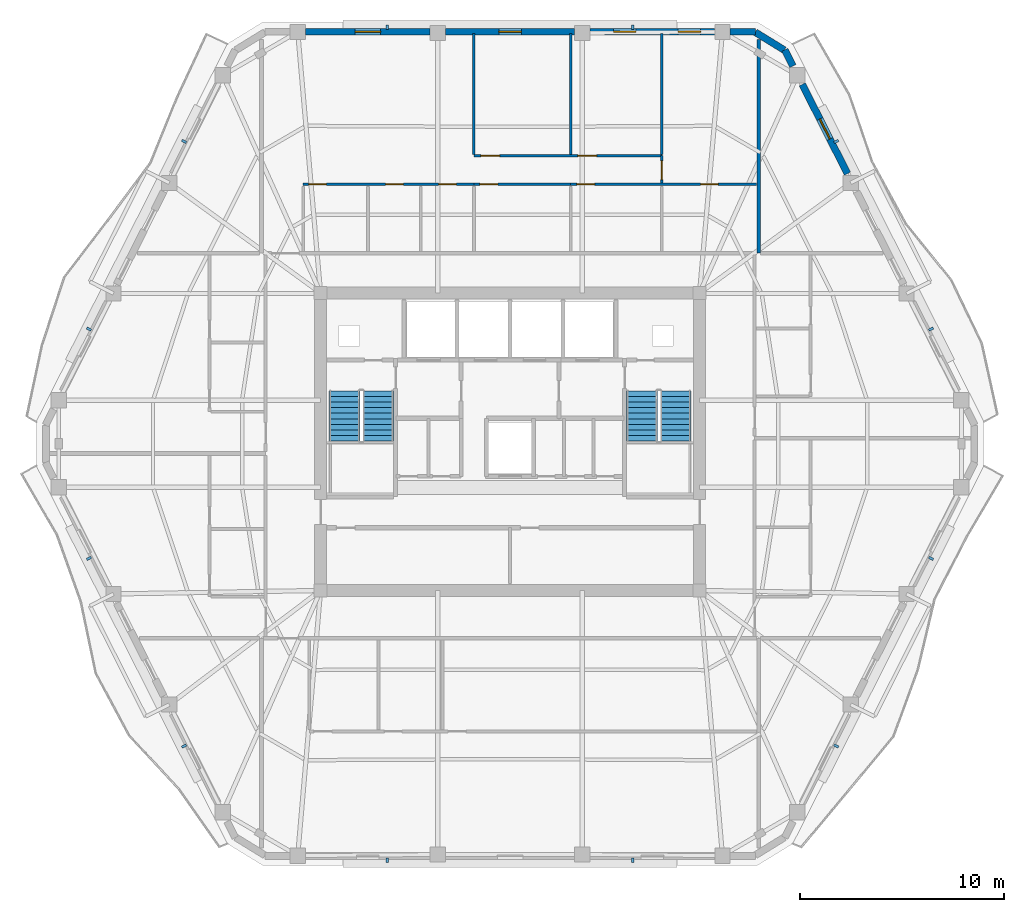
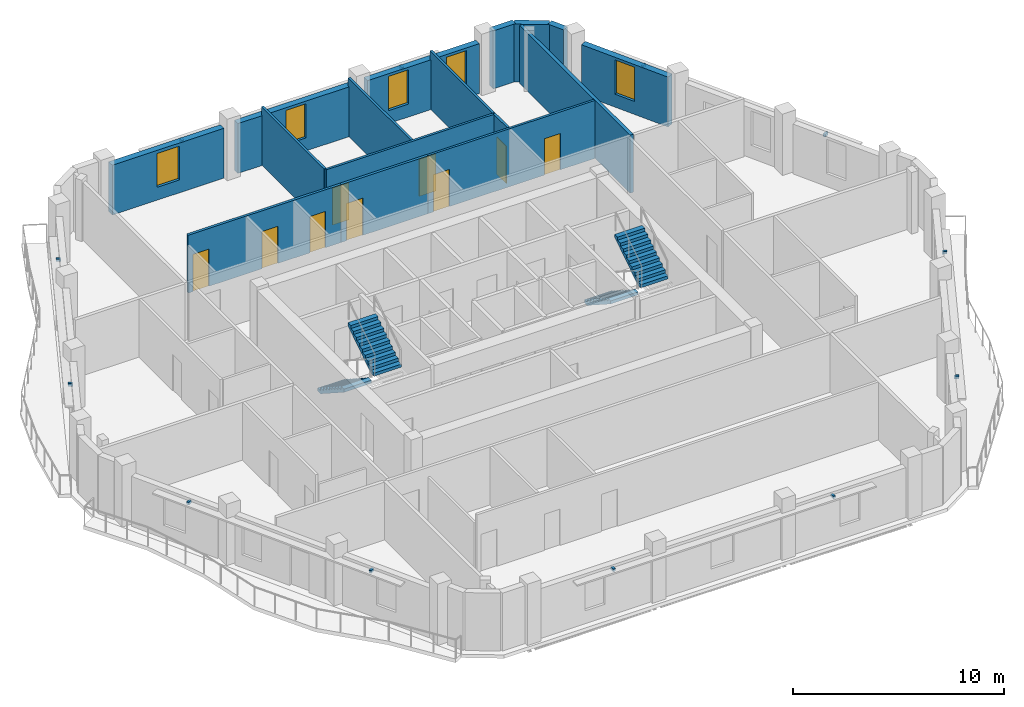
# One storey, part 7 of 11: 16 walls, 12 discrete accessories, 9 doors, 5 windows, 4 stair flights, 14 openings, 2 elements without a shape of their own.
"""IFC4 building model written with IfcOpenShell, lengths in metres."""

from ifc_helpers import new_model, si_unit, direction, frame, frame_2d, origin, origin_2d, place, context, subcontext, project, spatial, polyline, rectangle, outline, extrude, material, layer, layer_set, type_object, element, fill, aggregate, save


model = new_model("IFC4")

# Units and contexts
model_context = context("Model", 3, precision=1e-05, world=origin(), true_north=direction((0.0, 1.0)))
body_context = subcontext(model_context, "Body", "Model", "MODEL_VIEW")
ifc_project = project(units=[si_unit("LENGTHUNIT", "METRE"), si_unit("AREAUNIT", "SQUARE_METRE"), si_unit("VOLUMEUNIT", "CUBIC_METRE"), si_unit("PLANEANGLEUNIT", "RADIAN"), si_unit("MASSUNIT", "GRAM", prefix="KILO")], contexts=[model_context])

# Site, building, storey
site_placement = place(None, origin())
site = spatial("IfcSite", under=ifc_project, at=site_placement, CompositionType="ELEMENT")
building_placement = place(site_placement, origin())
building = spatial("IfcBuilding", under=site, at=building_placement, Name="Cinnabar Lancet Tower", CompositionType="ELEMENT")
storey_placement = place(building_placement, frame((0.0, 0.0, 214.5)))
storey = spatial("IfcBuildingStorey", under=building, at=storey_placement, Name="L57", CompositionType="ELEMENT", Elevation=214.5)

# Wall
ifc_material_1 = material(Name="Fire-rated twin-frame acoustic drywall", Category="gypsum")
ifc_layer_1 = layer(ifc_material_1, 0.179931640625)
ifc_layer_set_1 = layer_set([ifc_layer_1], Name="Fire-rated twin-frame acoustic drywall")
wall_type_1 = type_object("IfcWallType", Name="ARC-WL-PARTY-180", PredefinedType="PARTITIONING", material=ifc_layer_set_1)
wall_1_placement = place(storey_placement, frame((44.60009765625, 35.14990234375, 0.0), z_axis=(0.0, 0.0, 1.0), x_axis=(0.0, 1.0, 0.0)))
element("IfcWall", 1, at=wall_1_placement, inside=storey, type_object=wall_type_1, Name="PW-L57-NPTY-446", PredefinedType="PARTITIONING", context=body_context, shape_type="SweptSolid", body=[
    extrude(rectangle(XDim=10.482177734375, YDim=0.179931640625, at=frame_2d((5.2412109375, 0.0))), origin(), (0.0, 0.0, 1.0), 3.35009765625),
])

# Wall, openings, doors
ifc_material_2 = material(Name="Gypsum plasterboard stud partition", Category="gypsum")
ifc_layer_2 = layer(ifc_material_2, 0.125)
ifc_layer_set_2 = layer_set([ifc_layer_2], Name="Gypsum plasterboard stud partition")
wall_type_2 = type_object("IfcWallType", Name="ARC-WL-UNIT-125", PredefinedType="PARTITIONING", material=ifc_layer_set_2)
wall_2_placement = place(storey_placement, frame((35.375, 38.533935546875, 0.0), z_axis=(0.0, 0.0, 1.0), x_axis=(1.0, 0.0, 0.0)))
wall_2 = element("IfcWall", 2, at=wall_2_placement, inside=storey, type_object=wall_type_2, Name="UW-L57-N01-SP2", PredefinedType="PARTITIONING", context=body_context, shape_type="SweptSolid", body=[
    extrude(rectangle(XDim=9.1298828125, YDim=0.125, at=frame_2d((4.56494140625, 0.0))), origin(), (0.0, 0.0, 1.0), 3.35009765625),
])
opening_1_placement = place(wall_2_placement, frame((6.3759765625, 0.0, 0.0)))
opening_1 = element("IfcOpeningElement", 3, at=opening_1_placement, cuts=wall_2, Name="Opening BD-01", PredefinedType="OPENING", context=body_context, shape_type="SweptSolid", body=[
    extrude(rectangle(XDim=0.860107421875, YDim=2.10009765625, at=frame_2d((0.43017578125, 1.050048828125))), frame((0.0, 0.072509765625, 0.0), z_axis=(0.0, -1.0, 0.0), x_axis=(1.0, 0.0, 0.0)), (0.0, 0.0, 1.0), 0.14501953125),
])
opening_2_placement = place(wall_2_placement, frame((0.300048828125, 0.0, 0.0)))
opening_2 = element("IfcOpeningElement", 4, at=opening_2_placement, cuts=wall_2, Name="Opening RD-02", PredefinedType="OPENING", context=body_context, shape_type="SweptSolid", body=[
    extrude(rectangle(XDim=0.8798828125, YDim=2.14990234375, at=frame_2d((0.43994140625, 1.074951171875))), frame((0.0, 0.072509765625, 0.0), z_axis=(0.0, -1.0, 0.0), x_axis=(1.0, 0.0, 0.0)), (0.0, 0.0, 1.0), 0.14501953125),
])
ifc_material_3 = material(Name="Moisture-resistant timber bathroom door", Category="wood")
door_type_1 = type_object("IfcDoorType", Name="ARC-DR-BATH", OperationType="NOTDEFINED", PredefinedType="DOOR", material=ifc_material_3)
door_1_placement = place(opening_1_placement, origin())
door_1 = element("IfcDoor", 5, at=door_1_placement, inside=storey, type_object=door_type_1, Name="DR-L57-N01-ENS", OperationType="SINGLE_SWING_LEFT", OverallHeight=2.10009765625, OverallWidth=0.860107421875, PredefinedType="DOOR", context=body_context, shape_type="SweptSolid", body=[
    extrude(rectangle(XDim=0.860107421875, YDim=2.10009765625, at=frame_2d((0.43017578125, 1.050048828125))), frame((0.0, 0.02490234375, 0.0), z_axis=(0.0, -1.0, 0.0), x_axis=(1.0, 0.0, 0.0)), (0.0, 0.0, 1.0), 0.050048828125),
])
fill(opening_1, door_1)
ifc_material_4 = material(Name="Engineered timber study door", Category="wood")
door_type_2 = type_object("IfcDoorType", Name="ARC-DR-STUDY", OperationType="NOTDEFINED", PredefinedType="DOOR", material=ifc_material_4)
door_2_placement = place(opening_2_placement, origin())
door_2 = element("IfcDoor", 6, at=door_2_placement, inside=storey, type_object=door_type_2, Name="DR-L57-N01-DRS", OperationType="SINGLE_SWING_RIGHT", OverallHeight=2.14990234375, OverallWidth=0.8798828125, PredefinedType="DOOR", context=body_context, shape_type="SweptSolid", body=[
    extrude(rectangle(XDim=0.8798828125, YDim=2.14990234375, at=frame_2d((0.43994140625, 1.074951171875))), frame((0.0, 0.02490234375, 0.0), z_axis=(0.0, -1.0, 0.0), x_axis=(1.0, 0.0, 0.0)), (0.0, 0.0, 1.0), 0.050048828125),
])
fill(opening_2, door_2)

# Wall
wall_3_placement = place(storey_placement, frame((30.6220703125, 39.9990234375, 0.0), z_axis=(0.0, 0.0, 1.0), x_axis=(0.0, 1.0, 0.0)))
element("IfcWall", 7, at=wall_3_placement, inside=storey, type_object=wall_type_2, Name="UW-L57-N01-BD2W", PredefinedType="PARTITIONING", context=body_context, shape_type="SweptSolid", body=[
    extrude(rectangle(XDim=5.93603515625, YDim=0.125, at=frame_2d((2.968017578125, 0.0))), origin(), (0.0, 0.0, 1.0), 3.35009765625),
])

# Wall, openings, doors
wall_4_placement = place(storey_placement, frame((30.6220703125, 39.93408203125, 0.0), z_axis=(0.0, 0.0, 1.0), x_axis=(1.0, 0.0, 0.0)))
wall_4 = element("IfcWall", 8, at=wall_4_placement, inside=storey, type_object=wall_type_2, Name="UW-L57-N01-HLN", PredefinedType="PARTITIONING", context=body_context, shape_type="SweptSolid", body=[
    extrude(rectangle(XDim=9.224853515625, YDim=0.125, at=frame_2d((4.6123046875, 0.0))), origin(), (0.0, 0.0, 1.0), 3.35009765625),
])
opening_3_placement = place(wall_4_placement, frame((0.35009765625, 0.0, 0.0)))
opening_3 = element("IfcOpeningElement", 9, at=opening_3_placement, cuts=wall_4, Name="Opening RD-01", PredefinedType="OPENING", context=body_context, shape_type="SweptSolid", body=[
    extrude(rectangle(XDim=0.919921875, YDim=2.14990234375, at=frame_2d((0.4599609375, 1.074951171875))), frame((0.0, 0.072509765625, 0.0), z_axis=(0.0, -1.0, 0.0), x_axis=(1.0, 0.0, 0.0)), (0.0, 0.0, 1.0), 0.14501953125),
])
opening_4_placement = place(wall_4_placement, frame((5.10302734375, 0.0, 0.0)))
opening_4 = element("IfcOpeningElement", 10, at=opening_4_placement, cuts=wall_4, Name="Opening RD-01", PredefinedType="OPENING", context=body_context, shape_type="SweptSolid", body=[
    extrude(rectangle(XDim=0.919921875, YDim=2.14990234375, at=frame_2d((0.4599609375, 1.074951171875))), frame((0.0, 0.072509765625, 0.0), z_axis=(0.0, -1.0, 0.0), x_axis=(1.0, 0.0, 0.0)), (0.0, 0.0, 1.0), 0.14501953125),
])
ifc_material_5 = material(Name="Engineered timber bedroom door", Category="wood")
door_type_3 = type_object("IfcDoorType", Name="ARC-DR-ROOM", OperationType="NOTDEFINED", PredefinedType="DOOR", material=ifc_material_5)
door_3_placement = place(opening_3_placement, origin())
door_3 = element("IfcDoor", 11, at=door_3_placement, inside=storey, type_object=door_type_3, Name="DR-L57-N01-BD2", OperationType="SINGLE_SWING_LEFT", OverallHeight=2.14990234375, OverallWidth=0.919921875, PredefinedType="DOOR", context=body_context, shape_type="SweptSolid", body=[
    extrude(rectangle(XDim=0.919921875, YDim=2.14990234375, at=frame_2d((0.4599609375, 1.074951171875))), frame((0.0, 0.02490234375, 0.0), z_axis=(0.0, -1.0, 0.0), x_axis=(1.0, 0.0, 0.0)), (0.0, 0.0, 1.0), 0.050048828125),
])
fill(opening_3, door_3)
door_4_placement = place(opening_4_placement, origin())
door_4 = element("IfcDoor", 12, at=door_4_placement, inside=storey, type_object=door_type_3, Name="DR-L57-N01-BD3", OperationType="SINGLE_SWING_RIGHT", OverallHeight=2.14990234375, OverallWidth=0.919921875, PredefinedType="DOOR", context=body_context, shape_type="SweptSolid", body=[
    extrude(rectangle(XDim=0.919921875, YDim=2.14990234375, at=frame_2d((0.4599609375, 1.074951171875))), frame((0.0, 0.02490234375, 0.0), z_axis=(0.0, -1.0, 0.0), x_axis=(1.0, 0.0, 0.0)), (0.0, 0.0, 1.0), 0.050048828125),
])
fill(opening_4, door_4)

# Wall, opening, door
wall_5_placement = place(storey_placement, frame((39.846923828125, 38.60400390625, 0.0), z_axis=(0.0, 0.0, 1.0), x_axis=(0.0, 1.0, 0.0)))
wall_5 = element("IfcWall", 13, at=wall_5_placement, inside=storey, type_object=wall_type_2, Name="UW-L57-N01-MBE", PredefinedType="PARTITIONING", context=body_context, shape_type="SweptSolid", body=[
    extrude(rectangle(XDim=1.330078125, YDim=0.125, at=frame_2d((0.6650390625, 0.0))), origin(), (0.0, 0.0, 1.0), 3.35009765625),
])
opening_5_placement = place(wall_5_placement, frame((0.159912109375, 0.0, 0.0)))
opening_5 = element("IfcOpeningElement", 14, at=opening_5_placement, cuts=wall_5, Name="Opening RD-01", PredefinedType="OPENING", context=body_context, shape_type="SweptSolid", body=[
    extrude(rectangle(XDim=0.919921875, YDim=2.14990234375, at=frame_2d((0.4599609375, 1.074951171875))), frame((0.0, 0.072509765625, 0.0), z_axis=(0.0, -1.0, 0.0), x_axis=(1.0, 0.0, 0.0)), (0.0, 0.0, 1.0), 0.14501953125),
])
door_5_placement = place(opening_5_placement, origin())
door_5 = element("IfcDoor", 15, at=door_5_placement, inside=storey, type_object=door_type_3, Name="DR-L57-N01-MBD", OperationType="SINGLE_SWING_LEFT", OverallHeight=2.14990234375, OverallWidth=0.919921875, PredefinedType="DOOR", context=body_context, shape_type="SweptSolid", body=[
    extrude(rectangle(XDim=0.919921875, YDim=2.14990234375, at=frame_2d((0.4599609375, 1.074951171875))), frame((0.0, 0.02490234375, 0.0), z_axis=(0.0, -1.0, 0.0), x_axis=(1.0, 0.0, 0.0)), (0.0, 0.0, 1.0), 0.050048828125),
])
fill(opening_5, door_5)

# Walls
for number, where, z_axis, x_axis, name in (
    (16, (35.375, 39.9990234375, 0.0), (0.0, 0.0, 1.0), (0.0, 1.0, 0.0), "UW-L57-N01-MB2W"),
    (17, (39.846923828125, 39.9990234375, 0.0), (0.0, 0.0, 1.0), (0.0, 1.0, 0.0), "UW-L57-N01-B23W"),
):
    element("IfcWall", number, at=place(storey_placement, frame(where, z_axis=z_axis, x_axis=x_axis)), inside=storey, type_object=wall_type_2, Name=name, PredefinedType="PARTITIONING", context=body_context, shape_type="SweptSolid", body=[
        extrude(rectangle(XDim=5.93603515625, YDim=0.125, at=frame_2d((2.968017578125, 0.0))), origin(), (0.0, 0.0, 1.0), 3.35009765625),
    ])

# Wall, openings, doors
ifc_material_6 = material(Name="Moisture-resistant cement-board plumbing wall", Category="masonry")
ifc_layer_3 = layer(ifc_material_6, 0.139892578125)
ifc_layer_set_3 = layer_set([ifc_layer_3], Name="Moisture-resistant cement-board plumbing wall")
wall_type_3 = type_object("IfcWallType", Name="ARC-WL-WET-140", PredefinedType="PLUMBINGWALL", material=ifc_layer_set_3)
wall_6_placement = place(storey_placement, frame((22.25, 38.533935546875, 0.0), z_axis=(0.0, 0.0, 1.0), x_axis=(1.0, 0.0, 0.0)))
wall_6 = element("IfcWall", 18, at=wall_6_placement, inside=storey, type_object=wall_type_3, Name="UW-L57-N01-SPL", PredefinedType="PLUMBINGWALL", context=body_context, shape_type="SweptSolid", body=[
    extrude(rectangle(XDim=8.3720703125, YDim=0.139892578125, at=frame_2d((4.18603515625, 0.0))), origin(), (0.0, 0.0, 1.0), 3.35009765625),
])
opening_6_placement = place(wall_6_placement, frame((6.64990234375, 0.0, 0.0)))
opening_6 = element("IfcOpeningElement", 19, at=opening_6_placement, cuts=wall_6, Name="Opening BD-01", PredefinedType="OPENING", context=body_context, shape_type="SweptSolid", body=[
    extrude(rectangle(XDim=0.860107421875, YDim=2.10009765625, at=frame_2d((0.43017578125, 1.050048828125))), frame((0.0, 0.079833984375, 0.0), z_axis=(0.0, -1.0, 0.0), x_axis=(1.0, 0.0, 0.0)), (0.0, 0.0, 1.0), 0.159912109375),
])
opening_7_placement = place(wall_6_placement, frame((0.260009765625, 0.0, 0.0)))
opening_7 = element("IfcOpeningElement", 20, at=opening_7_placement, cuts=wall_6, Name="Opening RD-02", PredefinedType="OPENING", context=body_context, shape_type="SweptSolid", body=[
    extrude(rectangle(XDim=0.8798828125, YDim=2.14990234375, at=frame_2d((0.43994140625, 1.074951171875))), frame((0.0, 0.079833984375, 0.0), z_axis=(0.0, -1.0, 0.0), x_axis=(1.0, 0.0, 0.0)), (0.0, 0.0, 1.0), 0.159912109375),
])
opening_8_placement = place(wall_6_placement, frame((4.0390625, 0.0, 0.0)))
opening_8 = element("IfcOpeningElement", 21, at=opening_8_placement, cuts=wall_6, Name="Opening RD-02", PredefinedType="OPENING", context=body_context, shape_type="SweptSolid", body=[
    extrude(rectangle(XDim=0.8798828125, YDim=2.14990234375, at=frame_2d((0.43994140625, 1.074951171875))), frame((0.0, 0.079833984375, 0.0), z_axis=(0.0, -1.0, 0.0), x_axis=(1.0, 0.0, 0.0)), (0.0, 0.0, 1.0), 0.159912109375),
])
door_6_placement = place(opening_6_placement, origin())
door_6 = element("IfcDoor", 22, at=door_6_placement, inside=storey, type_object=door_type_1, Name="DR-L57-N01-BTH", OperationType="SINGLE_SWING_LEFT", OverallHeight=2.10009765625, OverallWidth=0.860107421875, PredefinedType="DOOR", context=body_context, shape_type="SweptSolid", body=[
    extrude(rectangle(XDim=0.860107421875, YDim=2.10009765625, at=frame_2d((0.43017578125, 1.050048828125))), frame((0.0, 0.02490234375, 0.0), z_axis=(0.0, -1.0, 0.0), x_axis=(1.0, 0.0, 0.0)), (0.0, 0.0, 1.0), 0.050048828125),
])
fill(opening_6, door_6)
door_7_placement = place(opening_7_placement, origin())
door_7 = element("IfcDoor", 23, at=door_7_placement, inside=storey, type_object=door_type_2, Name="DR-L57-N01-KIT", OperationType="SINGLE_SWING_LEFT", OverallHeight=2.14990234375, OverallWidth=0.8798828125, PredefinedType="DOOR", context=body_context, shape_type="SweptSolid", body=[
    extrude(rectangle(XDim=0.8798828125, YDim=2.14990234375, at=frame_2d((0.43994140625, 1.074951171875))), frame((0.0, 0.02490234375, 0.0), z_axis=(0.0, -1.0, 0.0), x_axis=(1.0, 0.0, 0.0)), (0.0, 0.0, 1.0), 0.050048828125),
])
fill(opening_7, door_7)
door_8_placement = place(opening_8_placement, origin())
door_8 = element("IfcDoor", 24, at=door_8_placement, inside=storey, type_object=door_type_2, Name="DR-L57-N01-STD", OperationType="SINGLE_SWING_RIGHT", OverallHeight=2.14990234375, OverallWidth=0.8798828125, PredefinedType="DOOR", context=body_context, shape_type="SweptSolid", body=[
    extrude(rectangle(XDim=0.8798828125, YDim=2.14990234375, at=frame_2d((0.43994140625, 1.074951171875))), frame((0.0, 0.02490234375, 0.0), z_axis=(0.0, -1.0, 0.0), x_axis=(1.0, 0.0, 0.0)), (0.0, 0.0, 1.0), 0.050048828125),
])
fill(opening_8, door_8)

# Wall, opening, door
wall_7_placement = place(storey_placement, frame((30.6220703125, 38.533935546875, 0.0), z_axis=(0.0, 0.0, 1.0), x_axis=(1.0, 0.0, 0.0)))
wall_7 = element("IfcWall", 25, at=wall_7_placement, inside=storey, type_object=wall_type_3, Name="UW-L57-N01-SPM", PredefinedType="PLUMBINGWALL", context=body_context, shape_type="SweptSolid", body=[
    extrude(rectangle(XDim=4.7529296875, YDim=0.139892578125, at=frame_2d((2.37646484375, 0.0))), origin(), (0.0, 0.0, 1.0), 3.35009765625),
])
opening_9_placement = place(wall_7_placement, frame((0.300048828125, 0.0, 0.0)))
opening_9 = element("IfcOpeningElement", 26, at=opening_9_placement, cuts=wall_7, Name="Opening RD-02", PredefinedType="OPENING", context=body_context, shape_type="SweptSolid", body=[
    extrude(rectangle(XDim=0.8798828125, YDim=2.14990234375, at=frame_2d((0.43994140625, 1.074951171875))), frame((0.0, 0.079833984375, 0.0), z_axis=(0.0, -1.0, 0.0), x_axis=(1.0, 0.0, 0.0)), (0.0, 0.0, 1.0), 0.159912109375),
])
door_9_placement = place(opening_9_placement, origin())
door_9 = element("IfcDoor", 27, at=door_9_placement, inside=storey, type_object=door_type_2, Name="DR-L57-N01-UTL", OperationType="SINGLE_SWING_RIGHT", OverallHeight=2.14990234375, OverallWidth=0.8798828125, PredefinedType="DOOR", context=body_context, shape_type="SweptSolid", body=[
    extrude(rectangle(XDim=0.8798828125, YDim=2.14990234375, at=frame_2d((0.43994140625, 1.074951171875))), frame((0.0, 0.02490234375, 0.0), z_axis=(0.0, -1.0, 0.0), x_axis=(1.0, 0.0, 0.0)), (0.0, 0.0, 1.0), 0.050048828125),
])
fill(opening_9, door_9)

# Wall
ifc_material_7 = material(Name="Cinnabar red clay brick", Category="masonry")
ifc_layer_4 = layer(ifc_material_7, 0.340087890625)
ifc_layer_set_4 = layer_set([ifc_layer_4], Name="Cinnabar red clay brick")
wall_type_4 = type_object("IfcWallType", Name="ENV-WL-BRK-RED-340", PredefinedType="STANDARD", material=ifc_layer_set_4)
wall_8_placement = place(storey_placement, frame((45.862060546875, 45.115966796875, 0.0), z_axis=(0.0, 0.0, 1.0), x_axis=(-0.851713271379, 0.524008113828, 0.0)))
element("IfcWall", 28, at=wall_8_placement, inside=storey, type_object=wall_type_4, Name="L57 Chamfered Corner Brick Pier 4.1", PredefinedType="STANDARD", context=body_context, shape_type="SweptSolid", body=[
    extrude(rectangle(XDim=1.677734375, YDim=0.340087890625, at=frame_2d((0.8388671875, 0.0))), origin(), (0.0, 0.0, 1.0), 3.35009765625),
])

# Wall, opening, window
wall_9_placement = place(storey_placement, frame((48.95703125, 39.054931640625, 0.0), z_axis=(0.0, 0.0, 1.0), x_axis=(-0.451524246964, 0.89225884944, 0.0)))
wall_9 = element("IfcWall", 29, at=wall_9_placement, inside=storey, type_object=wall_type_4, Name="L57 Face 3 Masonry Bay Wall 4", PredefinedType="STANDARD", context=body_context, shape_type="SweptSolid", body=[
    extrude(rectangle(XDim=4.91015625, YDim=0.340087890625, at=frame_2d((2.455078125, 0.0))), origin(), (0.0, 0.0, 1.0), 2.883056640625),
])
opening_10_placement = place(wall_9_placement, frame((1.905029296875, 0.0, 0.75)))
opening_10 = element("IfcOpeningElement", 30, at=opening_10_placement, cuts=wall_9, Name="Opening WN-04", PredefinedType="OPENING", context=body_context, shape_type="SweptSolid", body=[
    extrude(rectangle(XDim=1.10009765625, YDim=1.98291015625, at=frame_2d((0.550048828125, 0.991455078125))), frame((0.0, 0.179931640625, 0.0), z_axis=(0.0, -1.0, 0.0), x_axis=(1.0, 0.0, 0.0)), (0.0, 0.0, 1.0), 0.360107421875),
])
ifc_material_8 = material(Name="Thermally broken bronze-anodized aluminium tall lancet window", Category="aluminium")
window_type_1 = type_object("IfcWindowType", Name="ENV-WN-LANCET-1100", PartitioningType="SINGLE_PANEL", PredefinedType="WINDOW", material=ifc_material_8)
window_1_placement = place(opening_10_placement, origin())
window_1 = element("IfcWindow", 31, at=window_1_placement, inside=storey, type_object=window_type_1, Name="L57 Face 3 Gothic Lancet Window 4", OverallHeight=1.98291015625, OverallWidth=1.10009765625, PartitioningType="SINGLE_PANEL", PredefinedType="WINDOW", context=body_context, shape_type="SweptSolid", body=[
    extrude(rectangle(XDim=1.10009765625, YDim=1.98291015625, at=frame_2d((0.550048828125, 0.991455078125))), frame((0.0, 0.030029296875, 0.0), z_axis=(0.0, -1.0, 0.0), x_axis=(1.0, 0.0, 0.0)), (0.0, 0.0, 1.0), 0.06005859375),
])
fill(opening_10, window_1)

# Walls
wall_10_placement = place(storey_placement, frame((46.283935546875, 44.337890625, 0.0), z_axis=(0.0, 0.0, 1.0), x_axis=(-0.451487459758, 0.892277464515, 0.0)))
element("IfcWall", 32, at=wall_10_placement, inside=storey, type_object=wall_type_4, Name="L57 Face 3 Masonry Bay Wall 5", PredefinedType="STANDARD", context=body_context, shape_type="SweptSolid", body=[
    extrude(rectangle(XDim=0.89013671875, YDim=0.340087890625, at=frame_2d((0.445068359375, 0.0))), origin(), (0.0, 0.0, 1.0), 3.35009765625),
])
wall_11_placement = place(storey_placement, frame((44.43798828125, 46.02001953125, 0.0), z_axis=(0.0, 0.0, 1.0), x_axis=(-1.0, 0.0, 0.0)))
element("IfcWall", 33, at=wall_11_placement, inside=storey, type_object=wall_type_4, Name="L57 Face 4 Masonry Bay Wall 1", PredefinedType="STANDARD", context=body_context, shape_type="SweptSolid", body=[
    extrude(rectangle(XDim=1.238037109375, YDim=0.340087890625, at=frame_2d((0.619140625, 0.0))), origin(), (0.0, 0.0, 1.0), 3.35009765625),
])

# Wall, openings, windows
wall_12_placement = place(storey_placement, frame((42.44189453125, 46.02001953125, 0.0), z_axis=(0.0, 0.0, 1.0), x_axis=(-1.0, 0.0, 0.0)))
wall_12 = element("IfcWall", 34, at=wall_12_placement, inside=storey, type_object=wall_type_4, Name="L57 Face 4 Masonry Bay Wall 2", PredefinedType="STANDARD", context=body_context, shape_type="SweptSolid", body=[
    extrude(rectangle(XDim=6.119873046875, YDim=0.340087890625, at=frame_2d((3.06005859375, 0.0))), origin(), (0.0, 0.0, 1.0), 2.883056640625),
])
opening_11_placement = place(wall_12_placement, frame((0.69091796875, 0.0, 0.75)))
opening_11 = element("IfcOpeningElement", 35, at=opening_11_placement, cuts=wall_12, Name="Opening WN-04", PredefinedType="OPENING", context=body_context, shape_type="SweptSolid", body=[
    extrude(rectangle(XDim=1.10009765625, YDim=1.98291015625, at=frame_2d((0.550048828125, 0.991455078125))), frame((0.0, 0.179931640625, 0.0), z_axis=(0.0, -1.0, 0.0), x_axis=(1.0, 0.0, 0.0)), (0.0, 0.0, 1.0), 0.360107421875),
])
opening_12_placement = place(wall_12_placement, frame((3.864013671875, 0.0, 0.75)))
opening_12 = element("IfcOpeningElement", 36, at=opening_12_placement, cuts=wall_12, Name="Opening WN-04", PredefinedType="OPENING", context=body_context, shape_type="SweptSolid", body=[
    extrude(rectangle(XDim=1.10009765625, YDim=1.98291015625, at=frame_2d((0.550048828125, 0.991455078125))), frame((0.0, 0.179931640625, 0.0), z_axis=(0.0, -1.0, 0.0), x_axis=(1.0, 0.0, 0.0)), (0.0, 0.0, 1.0), 0.360107421875),
])
window_2_placement = place(opening_11_placement, origin())
window_2 = element("IfcWindow", 37, at=window_2_placement, inside=storey, type_object=window_type_1, Name="L57 Face 4 Gothic Lancet Window 2", OverallHeight=1.98291015625, OverallWidth=1.10009765625, PartitioningType="SINGLE_PANEL", PredefinedType="WINDOW", context=body_context, shape_type="SweptSolid", body=[
    extrude(rectangle(XDim=1.10009765625, YDim=1.98291015625, at=frame_2d((0.550048828125, 0.991455078125))), frame((0.0, 0.030029296875, 0.0), z_axis=(0.0, -1.0, 0.0), x_axis=(1.0, 0.0, 0.0)), (0.0, 0.0, 1.0), 0.06005859375),
])
fill(opening_11, window_2)
window_3_placement = place(opening_12_placement, origin())
window_3 = element("IfcWindow", 38, at=window_3_placement, inside=storey, type_object=window_type_1, Name="L57 Split-Bay Gothic Lancet Window 199", OverallHeight=1.98291015625, OverallWidth=1.10009765625, PartitioningType="SINGLE_PANEL", PredefinedType="WINDOW", context=body_context, shape_type="SweptSolid", body=[
    extrude(rectangle(XDim=1.10009765625, YDim=1.98291015625, at=frame_2d((0.550048828125, 0.991455078125))), frame((0.0, 0.030029296875, 0.0), z_axis=(0.0, -1.0, 0.0), x_axis=(1.0, 0.0, 0.0)), (0.0, 0.0, 1.0), 0.06005859375),
])
fill(opening_12, window_3)

# Wall, opening, window
wall_13_placement = place(storey_placement, frame((35.56396484375, 46.02001953125, 0.0), z_axis=(0.0, 0.0, 1.0), x_axis=(-1.0, 0.0, 0.0)))
wall_13 = element("IfcWall", 39, at=wall_13_placement, inside=storey, type_object=wall_type_4, Name="L57 Face 4 Masonry Bay Wall 3", PredefinedType="STANDARD", context=body_context, shape_type="SweptSolid", body=[
    extrude(rectangle(XDim=6.327880859375, YDim=0.340087890625, at=frame_2d((3.1640625, 0.0))), origin(), (0.0, 0.0, 1.0), 2.883056640625),
])
opening_13_placement = place(wall_13_placement, frame((2.614013671875, 0.0, 0.75)))
opening_13 = element("IfcOpeningElement", 40, at=opening_13_placement, cuts=wall_13, Name="Opening WN-04", PredefinedType="OPENING", context=body_context, shape_type="SweptSolid", body=[
    extrude(rectangle(XDim=1.10009765625, YDim=1.98291015625, at=frame_2d((0.550048828125, 0.991455078125))), frame((0.0, 0.179931640625, 0.0), z_axis=(0.0, -1.0, 0.0), x_axis=(1.0, 0.0, 0.0)), (0.0, 0.0, 1.0), 0.360107421875),
])
window_4_placement = place(opening_13_placement, origin())
window_4 = element("IfcWindow", 41, at=window_4_placement, inside=storey, type_object=window_type_1, Name="L57 Face 4 Gothic Lancet Window 3", OverallHeight=1.98291015625, OverallWidth=1.10009765625, PartitioningType="SINGLE_PANEL", PredefinedType="WINDOW", context=body_context, shape_type="SweptSolid", body=[
    extrude(rectangle(XDim=1.10009765625, YDim=1.98291015625, at=frame_2d((0.550048828125, 0.991455078125))), frame((0.0, 0.030029296875, 0.0), z_axis=(0.0, -1.0, 0.0), x_axis=(1.0, 0.0, 0.0)), (0.0, 0.0, 1.0), 0.06005859375),
])
fill(opening_13, window_4)

wall_14_placement = place(storey_placement, frame((28.47802734375, 46.02001953125, 0.0), z_axis=(0.0, 0.0, 1.0), x_axis=(-1.0, 0.0, 0.0)))
wall_14 = element("IfcWall", 42, at=wall_14_placement, inside=storey, type_object=wall_type_4, Name="L57 Face 4 Masonry Bay Wall 4", PredefinedType="STANDARD", context=body_context, shape_type="SweptSolid", body=[
    extrude(rectangle(XDim=6.1201171875, YDim=0.340087890625, at=frame_2d((3.06005859375, 0.0))), origin(), (0.0, 0.0, 1.0), 2.883056640625),
])
opening_14_placement = place(wall_14_placement, frame((2.43505859375, 0.0, 0.75)))
opening_14 = element("IfcOpeningElement", 43, at=opening_14_placement, cuts=wall_14, Name="Opening WN-03", PredefinedType="OPENING", context=body_context, shape_type="SweptSolid", body=[
    extrude(rectangle(XDim=1.25, YDim=1.949951171875, at=frame_2d((0.625, 0.97509765625))), frame((0.0, 0.179931640625, 0.0), z_axis=(0.0, -1.0, 0.0), x_axis=(1.0, 0.0, 0.0)), (0.0, 0.0, 1.0), 0.360107421875),
])
ifc_material_9 = material(Name="Thermally broken bronze-anodized aluminium low-E double glazing", Category="aluminium")
window_type_2 = type_object("IfcWindowType", Name="ENV-WN-LANCET-1250", PartitioningType="SINGLE_PANEL", PredefinedType="WINDOW", material=ifc_material_9)
window_5_placement = place(opening_14_placement, origin())
window_5 = element("IfcWindow", 44, at=window_5_placement, inside=storey, type_object=window_type_2, Name="L57 Face 4 Gothic Lancet Window 4", OverallHeight=1.949951171875, OverallWidth=1.25, PartitioningType="SINGLE_PANEL", PredefinedType="WINDOW", context=body_context, shape_type="SweptSolid", body=[
    extrude(rectangle(XDim=1.25, YDim=1.949951171875, at=frame_2d((0.625, 0.97509765625))), frame((0.0, 0.030029296875, 0.0), z_axis=(0.0, -1.0, 0.0), x_axis=(1.0, 0.0, 0.0)), (0.0, 0.0, 1.0), 0.06005859375),
])
fill(opening_14, window_5)

# Stair, stair flights
ifc_material_10 = material(Name="Concrete C40/50", Category="concrete")
stair_type = type_object("IfcStairType", Name="ST-CORE", PredefinedType="HALF_TURN_STAIR", material=ifc_material_10)
stair_1_placement = place(storey_placement, origin())
stair_1 = element("IfcStair", 45, at=stair_1_placement, inside=storey, type_object=stair_type, Name="L57 ST-1", PredefinedType="HALF_TURN_STAIR")
ifc_material_11 = material(Name="Concrete C40/50", Category="concrete")
stair_flight_type = type_object("IfcStairFlightType", Name="FLIGHT-CORE", PredefinedType="STRAIGHT", material=ifc_material_11)
stair_flight_1_placement = place(storey_placement, frame((24.27490234375, 28.39990234375, 0.0), z_axis=(0.0, 0.0, 1.0), x_axis=(0.0, -1.0, 0.0)))
stair_flight_1 = element("IfcStairFlight", 46, at=stair_flight_1_placement, type_object=stair_flight_type, Name="ST-1 flight 1", NumberOfRisers=10, NumberOfTreads=9, PredefinedType="STRAIGHT", RiserHeight=0.1775, TreadLength=0.275, context=body_context, shape_type="SweptSolid", body=[
    extrude(outline(polyline([(0.0, 0.0), (0.0, 0.177490234375), (0.27490234375, 0.177490234375), (0.27490234375, 0.35498046875), (0.550048828125, 0.35498046875), (0.550048828125, 0.532470703125), (0.824951171875, 0.532470703125), (0.824951171875, 0.7099609375), (1.10009765625, 0.7099609375), (1.10009765625, 0.887451171875), (1.375, 0.887451171875), (1.375, 1.06494140625), (1.64990234375, 1.06494140625), (1.64990234375, 1.242431640625), (1.925048828125, 1.242431640625), (1.925048828125, 1.419921875), (2.199951171875, 1.419921875), (2.199951171875, 1.597412109375), (2.47509765625, 1.597412109375), (2.47509765625, 1.77490234375), (2.47509765625, 1.419189453125), (0.2763671875, 0.0), (0.0, 0.0)])), frame((0.0, 0.75, 0.0), z_axis=(0.0, -1.0, 0.0), x_axis=(1.0, 0.0, 0.0)), (0.0, 0.0, 1.0), 1.5),
])
stair_flight_2_placement = place(storey_placement, frame((25.925048828125, 25.925048828125, 1.77490234375), z_axis=(0.0, 0.0, 1.0), x_axis=(0.0, 1.0, 0.0)))
stair_flight_2 = element("IfcStairFlight", 47, at=stair_flight_2_placement, type_object=stair_flight_type, Name="ST-1 flight 2", NumberOfRisers=10, NumberOfTreads=9, PredefinedType="STRAIGHT", RiserHeight=0.1775, TreadLength=0.275, context=body_context, shape_type="SweptSolid", body=[
    extrude(outline(polyline([(0.0, 0.0), (0.0, 0.177490234375), (0.27490234375, 0.177490234375), (0.27490234375, 0.35498046875), (0.550048828125, 0.35498046875), (0.550048828125, 0.532470703125), (0.824951171875, 0.532470703125), (0.824951171875, 0.7099609375), (1.10009765625, 0.7099609375), (1.10009765625, 0.887451171875), (1.375, 0.887451171875), (1.375, 1.06494140625), (1.64990234375, 1.06494140625), (1.64990234375, 1.242431640625), (1.925048828125, 1.242431640625), (1.925048828125, 1.419921875), (2.199951171875, 1.419921875), (2.199951171875, 1.597412109375), (2.47509765625, 1.597412109375), (2.47509765625, 1.77490234375), (2.47509765625, 1.419189453125), (0.2763671875, 0.0), (0.0, 0.0)])), frame((0.0, 0.75, 0.0), z_axis=(0.0, -1.0, 0.0), x_axis=(1.0, 0.0, 0.0)), (0.0, 0.0, 1.0), 1.5),
])
aggregate(stair_1, [stair_flight_1, stair_flight_2])

stair_2_placement = place(storey_placement, origin())
stair_2 = element("IfcStair", 48, at=stair_2_placement, inside=storey, type_object=stair_type, Name="L57 ST-2", PredefinedType="HALF_TURN_STAIR")
stair_flight_3_placement = place(storey_placement, frame((38.875, 28.39990234375, 0.0), z_axis=(0.0, 0.0, 1.0), x_axis=(0.0, -1.0, 0.0)))
stair_flight_3 = element("IfcStairFlight", 49, at=stair_flight_3_placement, type_object=stair_flight_type, Name="ST-2 flight 1", NumberOfRisers=10, NumberOfTreads=9, PredefinedType="STRAIGHT", RiserHeight=0.1775, TreadLength=0.275, context=body_context, shape_type="SweptSolid", body=[
    extrude(outline(polyline([(0.0, 0.0), (0.0, 0.177490234375), (0.27490234375, 0.177490234375), (0.27490234375, 0.35498046875), (0.550048828125, 0.35498046875), (0.550048828125, 0.532470703125), (0.824951171875, 0.532470703125), (0.824951171875, 0.7099609375), (1.10009765625, 0.7099609375), (1.10009765625, 0.887451171875), (1.375, 0.887451171875), (1.375, 1.06494140625), (1.64990234375, 1.06494140625), (1.64990234375, 1.242431640625), (1.925048828125, 1.242431640625), (1.925048828125, 1.419921875), (2.199951171875, 1.419921875), (2.199951171875, 1.597412109375), (2.47509765625, 1.597412109375), (2.47509765625, 1.77490234375), (2.47509765625, 1.419189453125), (0.2763671875, 0.0), (0.0, 0.0)])), frame((0.0, 0.75, 0.0), z_axis=(0.0, -1.0, 0.0), x_axis=(1.0, 0.0, 0.0)), (0.0, 0.0, 1.0), 1.5),
])
stair_flight_4_placement = place(storey_placement, frame((40.52490234375, 25.925048828125, 1.77490234375), z_axis=(0.0, 0.0, 1.0), x_axis=(0.0, 1.0, 0.0)))
stair_flight_4 = element("IfcStairFlight", 50, at=stair_flight_4_placement, type_object=stair_flight_type, Name="ST-2 flight 2", NumberOfRisers=10, NumberOfTreads=9, PredefinedType="STRAIGHT", RiserHeight=0.1775, TreadLength=0.275, context=body_context, shape_type="SweptSolid", body=[
    extrude(outline(polyline([(0.0, 0.0), (0.0, 0.177490234375), (0.27490234375, 0.177490234375), (0.27490234375, 0.35498046875), (0.550048828125, 0.35498046875), (0.550048828125, 0.532470703125), (0.824951171875, 0.532470703125), (0.824951171875, 0.7099609375), (1.10009765625, 0.7099609375), (1.10009765625, 0.887451171875), (1.375, 0.887451171875), (1.375, 1.06494140625), (1.64990234375, 1.06494140625), (1.64990234375, 1.242431640625), (1.925048828125, 1.242431640625), (1.925048828125, 1.419921875), (2.199951171875, 1.419921875), (2.199951171875, 1.597412109375), (2.47509765625, 1.597412109375), (2.47509765625, 1.77490234375), (2.47509765625, 1.419189453125), (0.2763671875, 0.0), (0.0, 0.0)])), frame((0.0, 0.75, 0.0), z_axis=(0.0, -1.0, 0.0), x_axis=(1.0, 0.0, 0.0)), (0.0, 0.0, 1.0), 1.5),
])
aggregate(stair_2, [stair_flight_3, stair_flight_4])

# Discrete accessories
ifc_material_12 = material(Name="Stainless steel 316 facade fixing bracket", Category="steel")
discrete_accessory_type = type_object("IfcDiscreteAccessoryType", Name="ENV-ACC-BRK-180", PredefinedType="BRACKET", material=ifc_material_12)
for number, where, z_axis, x_axis, name in (
    (51, (26.381103515625, 5.360107421875, 2.60009765625), (0.0, 0.0, 1.0), (1.0, 0.0, 0.0), "L57 Face 1 Sunshade Bracket A"),
    (52, (38.4189453125, 5.360107421875, 2.60009765625), (0.0, 0.0, 1.0), (1.0, 0.0, 0.0), "L57 Face 1 Sunshade Bracket B"),
    (53, (48.403076171875, 10.965087890625, 2.60009765625), (0.0, 0.0, 1.0), (0.45140713236, 0.892318105193, 0.0), "L57 Face 2 Sunshade Bracket A"),
    (54, (53.06201171875, 20.174072265625, 2.60009765625), (0.0, 0.0, 1.0), (0.45140713236, 0.892318105193, 0.0), "L57 Face 2 Sunshade Bracket B"),
    (55, (53.06201171875, 31.426025390625, 2.60009765625), (0.0, 0.0, 1.0), (-0.45140713236, 0.892318105193, 0.0), "L57 Face 3 Sunshade Bracket A"),
    (56, (48.403076171875, 40.635009765625, 2.60009765625), (0.0, 0.0, 1.0), (-0.45140713236, 0.892318105193, 0.0), "L57 Face 3 Sunshade Bracket B"),
    (57, (38.4189453125, 46.239990234375, 2.60009765625), (0.0, 0.0, 1.0), (-1.0, 0.0, 0.0), "L57 Face 4 Sunshade Bracket A"),
    (58, (26.381103515625, 46.239990234375, 2.60009765625), (0.0, 0.0, 1.0), (-1.0, 0.0, 0.0), "L57 Face 4 Sunshade Bracket B"),
    (59, (16.39697265625, 40.635009765625, 2.60009765625), (0.0, 0.0, 1.0), (-0.45140713236, -0.892318105193, 0.0), "L57 Face 5 Sunshade Bracket A"),
    (60, (11.738037109375, 31.426025390625, 2.60009765625), (0.0, 0.0, 1.0), (-0.45140713236, -0.892318105193, 0.0), "L57 Face 5 Sunshade Bracket B"),
    (61, (11.738037109375, 20.174072265625, 2.60009765625), (0.0, 0.0, 1.0), (0.45140713236, -0.892318105193, 0.0), "L57 Face 6 Sunshade Bracket A"),
    (62, (16.39697265625, 10.965087890625, 2.60009765625), (0.0, 0.0, 1.0), (0.45140713236, -0.892318105193, 0.0), "L57 Face 6 Sunshade Bracket B"),
):
    element("IfcDiscreteAccessory", number, at=place(storey_placement, frame(where, z_axis=z_axis, x_axis=x_axis)), inside=storey, type_object=discrete_accessory_type, Name=name, PredefinedType="BRACKET", context=body_context, shape_type="SweptSolid", body=[
        extrude(rectangle(XDim=0.1201171875, YDim=0.239990234375, at=origin_2d()), origin(), (0.0, 0.0, 1.0), 0.159912109375),
    ])

save(model, "model.ifc")
